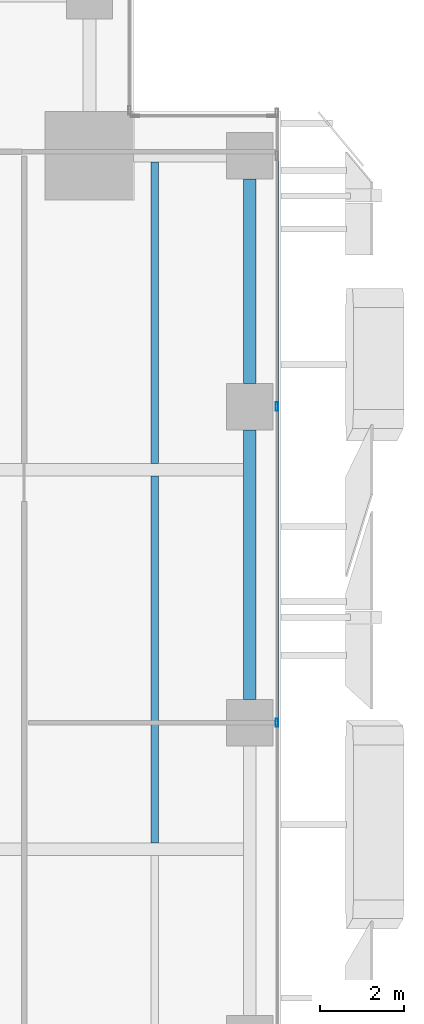
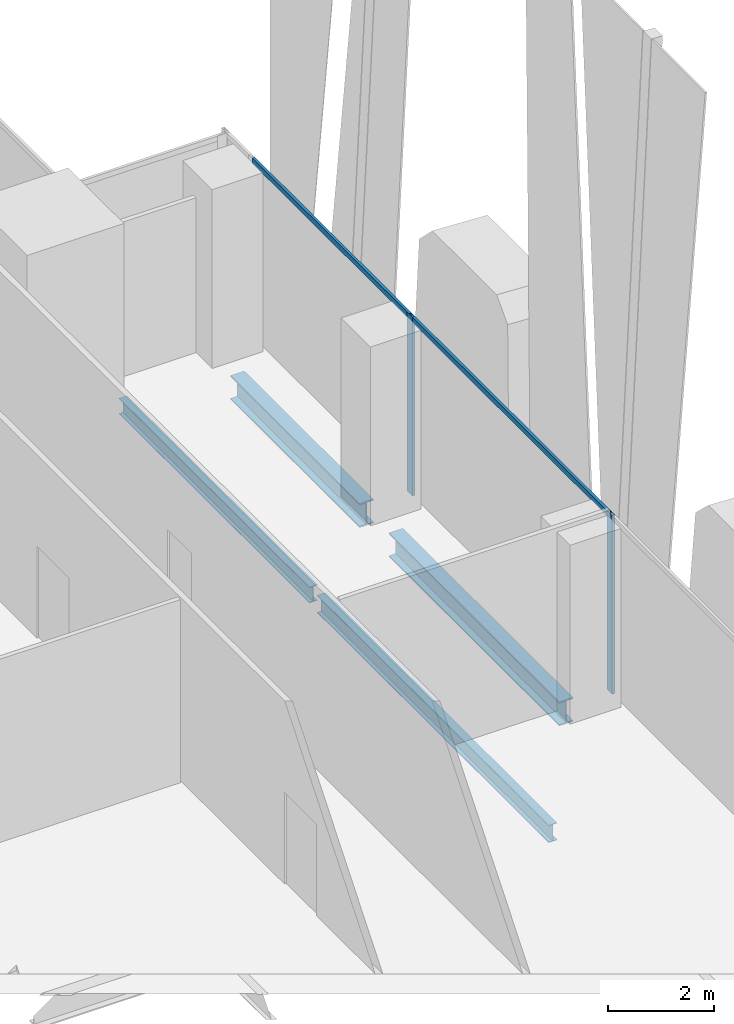
# One storey, part 17 of 34: 4 beams, 4 members, 1 element without a shape of its own.
"""IFC4 building model written with IfcOpenShell, lengths in metres."""

from ifc_helpers import new_model, si_unit, direction, frame, origin, origin_2d, place, context, subcontext, project, spatial, hollow_rectangle, i_section, extrude, source, transform, mapped, material, material_profile, profile_set, type_object, element, aggregate, save


model = new_model("IFC4")

# Units and contexts
model_context = context("Model", 3, precision=1e-05, world=origin(), true_north=direction((0.0, 1.0)))
body_context = subcontext(model_context, "Body", "Model", "MODEL_VIEW")
ifc_project = project(units=[si_unit("LENGTHUNIT", "METRE"), si_unit("AREAUNIT", "SQUARE_METRE"), si_unit("VOLUMEUNIT", "CUBIC_METRE"), si_unit("PLANEANGLEUNIT", "RADIAN"), si_unit("MASSUNIT", "GRAM", prefix="KILO")], contexts=[model_context])

# Site, building, storey
site_placement = place(None, origin())
site = spatial("IfcSite", under=ifc_project, at=site_placement, CompositionType="ELEMENT")
building_placement = place(site_placement, origin())
building = spatial("IfcBuilding", under=site, at=building_placement, Name="Khomas Fold Tower", CompositionType="ELEMENT")
storey_placement = place(building_placement, frame((0.0, 0.0, 114.699951171875)))
storey = spatial("IfcBuildingStorey", under=building, at=storey_placement, Name="L24", CompositionType="ELEMENT", Elevation=114.699951171875)

# Beams
ifc_material_1 = material(Name="Steel S355", Category="steel")
ifc_material_profile_1 = material_profile(ifc_material_1, i_section(OverallWidth=0.179931640625, OverallDepth=0.39990234375, WebThickness=0.008544921875, FlangeThickness=0.013427734375, at=origin_2d()), Name="IPE 400")
ifc_profile_set_1 = profile_set([ifc_material_profile_1], Name="Steel S355")
beam_type_1 = type_object("IfcBeamType", Name="IPE 400 beam JB3", PredefinedType="BEAM", material=ifc_profile_set_1)
shared_shape_1 = source(origin(), body_context, "Body", "SweptSolid", [
    extrude(i_section(OverallWidth=0.179931640625, OverallDepth=0.39990234375, WebThickness=0.008544921875, FlangeThickness=0.013427734375, at=origin_2d()), origin(), (0.0, 0.0, 1.0), 8.7001953125),
])
beam_1_placement = place(storey_placement, frame((49.5, 31.64990234375, -0.5), z_axis=(0.0, 1.0, 0.0), x_axis=(-1.0, 0.0, 0.0)))
element("IfcBeam", 1, at=beam_1_placement, inside=storey, type_object=beam_type_1, Name="JB3", PredefinedType="BEAM", context=body_context, shape_type="MappedRepresentation", body=[
    mapped(shared_shape_1, transform((0.0, 0.0, 0.0))),
])
ifc_material_2 = material(Name="Steel S355", Category="steel")
ifc_material_profile_2 = material_profile(ifc_material_2, i_section(OverallWidth=0.169921875, OverallDepth=0.360107421875, WebThickness=0.008056640625, FlangeThickness=0.0126953125, at=origin_2d()), Name="IPE 360")
ifc_profile_set_2 = profile_set([ifc_material_profile_2], Name="Steel S355")
beam_type_2 = type_object("IfcBeamType", Name="IPE 360 beam JB2", PredefinedType="BEAM", material=ifc_profile_set_2)
shared_shape_2 = source(origin(), body_context, "Body", "SweptSolid", [
    extrude(i_section(OverallWidth=0.169921875, OverallDepth=0.360107421875, WebThickness=0.008056640625, FlangeThickness=0.0126953125, at=origin_2d()), origin(), (0.0, 0.0, 1.0), 7.150146484375),
])
beam_2_placement = place(storey_placement, frame((49.5, 40.64990234375, -0.47998046875), z_axis=(0.0, 1.0, 0.0), x_axis=(-1.0, 0.0, 0.0)))
element("IfcBeam", 2, at=beam_2_placement, inside=storey, type_object=beam_type_2, Name="JB2", PredefinedType="BEAM", context=body_context, shape_type="MappedRepresentation", body=[
    mapped(shared_shape_2, transform((0.0, 0.0, 0.0))),
])
ifc_material_3 = material(Name="Steel S355", Category="steel")
ifc_material_profile_3 = material_profile(ifc_material_3, i_section(OverallWidth=0.300048828125, OverallDepth=0.550048828125, WebThickness=0.014892578125, FlangeThickness=0.029052734375, at=origin_2d()), Name="HE 550 B")
ifc_profile_set_3 = profile_set([ifc_material_profile_3], Name="Steel S355")
beam_type_3 = type_object("IfcBeamType", Name="HE 550 B spandrel SB2", PredefinedType="SPANDREL", material=ifc_profile_set_3)
shared_shape_3 = source(origin(), body_context, "Body", "SweptSolid", [
    extrude(i_section(OverallWidth=0.300048828125, OverallDepth=0.550048828125, WebThickness=0.014892578125, FlangeThickness=0.029052734375, at=origin_2d()), origin(), (0.0, 0.0, 1.0), 4.849853515625),
])
beam_3_placement = place(storey_placement, frame((51.75, 42.550048828125, -0.574951171875), z_axis=(0.0, 1.0, 0.0), x_axis=(-1.0, 0.0, 0.0)))
element("IfcBeam", 3, at=beam_3_placement, inside=storey, type_object=beam_type_3, Name="SB2", PredefinedType="SPANDREL", context=body_context, shape_type="MappedRepresentation", body=[
    mapped(shared_shape_3, transform((0.0, 0.0, 0.0))),
])
shared_shape_4 = source(origin(), body_context, "Body", "SweptSolid", [
    extrude(i_section(OverallWidth=0.300048828125, OverallDepth=0.550048828125, WebThickness=0.014892578125, FlangeThickness=0.029052734375, at=origin_2d()), origin(), (0.0, 0.0, 1.0), 6.39990234375),
])
beam_4_placement = place(storey_placement, frame((51.75, 35.050048828125, -0.574951171875), z_axis=(0.0, 1.0, 0.0), x_axis=(-1.0, 0.0, 0.0)))
element("IfcBeam", 4, at=beam_4_placement, inside=storey, type_object=beam_type_3, Name="SB2", PredefinedType="SPANDREL", context=body_context, shape_type="MappedRepresentation", body=[
    mapped(shared_shape_4, transform((0.0, 0.0, 0.0))),
])

# Curtain wall, members
ifc_material_4 = material(Name="Aluminium framed double glazing", Category="aluminium")
curtain_wall_type = type_object("IfcCurtainWallType", Name="SK-Unitised clear-glass wall, growing floors CW1", PredefinedType="NOTDEFINED", material=ifc_material_4)
curtain_wall_placement = place(storey_placement, origin())
curtain_wall = element("IfcCurtainWall", 5, at=curtain_wall_placement, inside=storey, type_object=curtain_wall_type, Name="CW1 run L24 03-0", PredefinedType="NOTDEFINED")
ifc_material_5 = material(Name="Aluminium", Category="aluminium")
ifc_material_profile_4 = material_profile(ifc_material_5, hollow_rectangle(XDim=0.06005859375, YDim=0.1201171875, WallThickness=0.00390625, at=origin_2d()), Name="SK-Unitised clear-glass wall, growing floors transom CW1-T")
ifc_profile_set_4 = profile_set([ifc_material_profile_4], Name="Aluminium")
member_type_1 = type_object("IfcMemberType", Name="SK-Unitised clear-glass wall, growing floors transom CW1-T", PredefinedType="USERDEFINED", material=ifc_profile_set_4)
shared_shape_5 = source(origin(), body_context, "Body", "SweptSolid", [
    extrude(hollow_rectangle(XDim=0.06005859375, YDim=0.1201171875, WallThickness=0.00390625, at=origin_2d()), origin(), (0.0, 0.0, 1.0), 7.43994140625),
])
member_1_placement = place(storey_placement, frame((52.39990234375, 34.530029296875, 4.0400390625), z_axis=(0.0, 1.0, 0.0), x_axis=(-1.0, 0.0, 0.0)))
member_1 = element("IfcMember", 6, at=member_1_placement, type_object=member_type_1, Name="CW1 transom 6", ObjectType="TRANSOM", PredefinedType="USERDEFINED", context=body_context, shape_type="MappedRepresentation", body=[
    mapped(shared_shape_5, transform((0.0, 0.0, 0.0))),
])
ifc_material_6 = material(Name="Aluminium", Category="aluminium")
ifc_material_profile_5 = material_profile(ifc_material_6, hollow_rectangle(XDim=0.06005859375, YDim=0.199951171875, WallThickness=0.00390625, at=origin_2d()), Name="SK-Unitised clear-glass wall, growing floors mullion CW1-M")
ifc_profile_set_5 = profile_set([ifc_material_profile_5], Name="Aluminium")
member_type_2 = type_object("IfcMemberType", Name="SK-Unitised clear-glass wall, growing floors mullion CW1-M", PredefinedType="MULLION", material=ifc_profile_set_5)
shared_shape_6 = source(origin(), body_context, "Body", "SweptSolid", [
    extrude(hollow_rectangle(XDim=0.06005859375, YDim=0.199951171875, WallThickness=0.00390625, at=origin_2d()), origin(), (0.0, 0.0, 1.0), 4.10009765625),
])
member_2_placement = place(storey_placement, frame((52.39990234375, 34.5, 0.0), z_axis=(0.0, 0.0, 1.0), x_axis=(-1.0, 0.0, 0.0)))
member_2 = element("IfcMember", 7, at=member_2_placement, type_object=member_type_2, Name="CW1 mullion 6", PredefinedType="MULLION", context=body_context, shape_type="MappedRepresentation", body=[
    mapped(shared_shape_6, transform((0.0, 0.0, 0.0))),
])
member_3_placement = place(storey_placement, frame((52.39990234375, 42.0, 0.0), z_axis=(0.0, 0.0, 1.0), x_axis=(-1.0, 0.0, 0.0)))
member_3 = element("IfcMember", 8, at=member_3_placement, type_object=member_type_2, Name="CW1 mullion 7", PredefinedType="MULLION", context=body_context, shape_type="MappedRepresentation", body=[
    mapped(shared_shape_6, transform((0.0, 0.0, 0.0))),
])
shared_shape_7 = source(origin(), body_context, "Body", "SweptSolid", [
    extrude(hollow_rectangle(XDim=0.06005859375, YDim=0.1201171875, WallThickness=0.00390625, at=origin_2d()), origin(), (0.0, 0.0, 1.0), 5.889892578125),
])
member_4_placement = place(storey_placement, frame((52.39990234375, 42.030029296875, 4.0400390625), z_axis=(0.0, 1.0, 0.0), x_axis=(-1.0, 0.0, 0.0)))
member_4 = element("IfcMember", 9, at=member_4_placement, type_object=member_type_1, Name="CW1 transom 7", ObjectType="TRANSOM", PredefinedType="USERDEFINED", context=body_context, shape_type="MappedRepresentation", body=[
    mapped(shared_shape_7, transform((0.0, 0.0, 0.0))),
])
aggregate(curtain_wall, [member_2, member_3, member_1, member_4])

save(model, "model.ifc")
